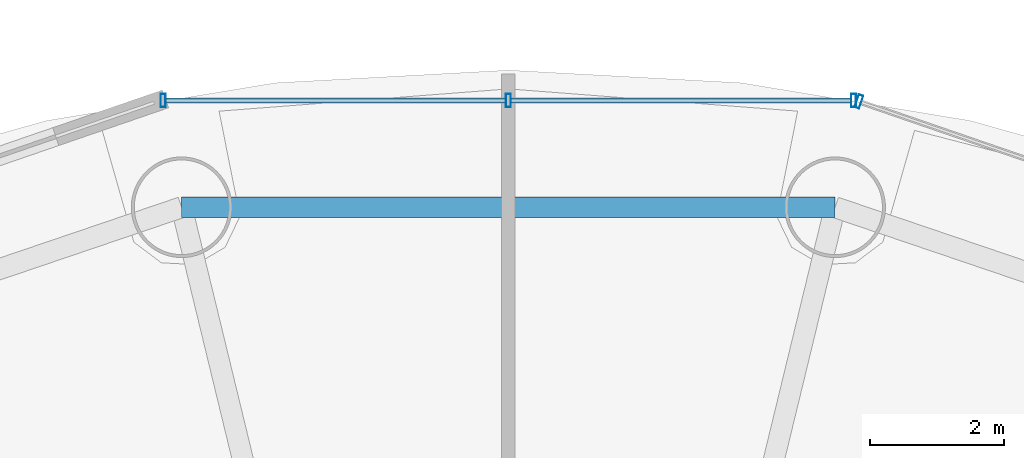
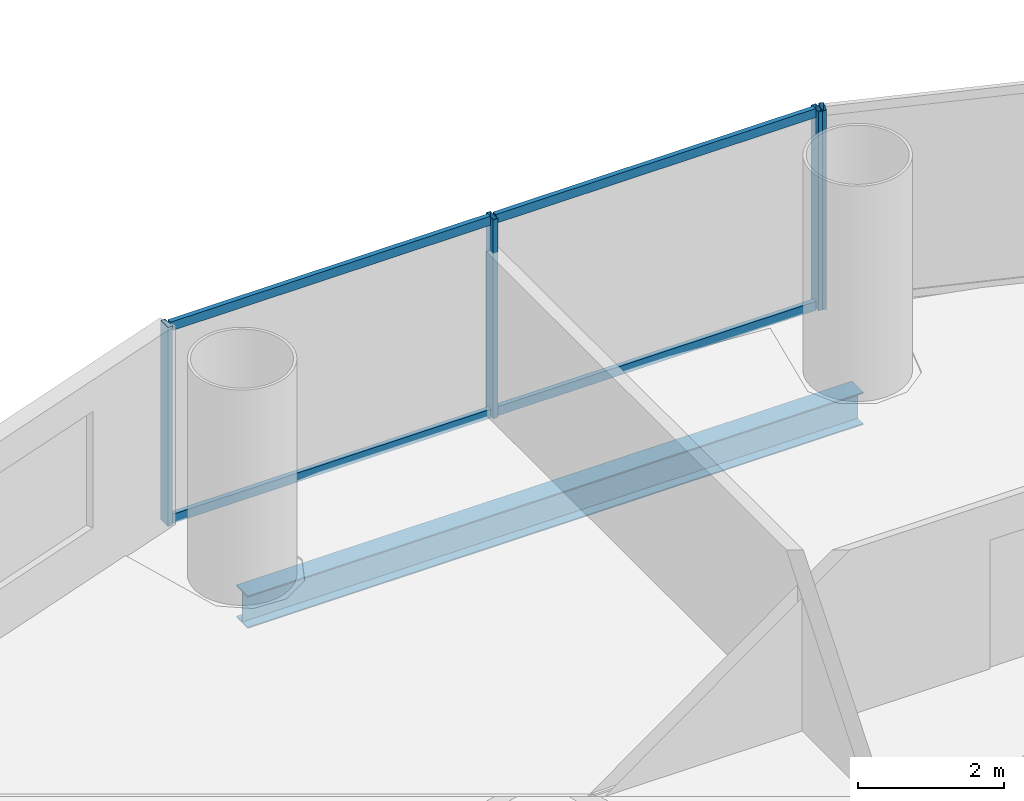
# One storey, part 18 of 29: 8 members, 1 beam, 2 elements without a shape of their own.
"""IFC4 building model written with IfcOpenShell, lengths in metres."""

from ifc_helpers import new_model, si_unit, direction, frame, origin, origin_2d, place, context, subcontext, project, spatial, hollow_rectangle, i_section, extrude, source, transform, mapped, material, material_profile, profile_set, type_object, element, aggregate, save


model = new_model("IFC4")

# Units and contexts
model_context = context("Model", 3, precision=1e-05, world=origin(), true_north=direction((-0.2419218956, 0.970295726276)))
body_context = subcontext(model_context, "Body", "Model", "MODEL_VIEW")
ifc_project = project(units=[si_unit("LENGTHUNIT", "METRE"), si_unit("AREAUNIT", "SQUARE_METRE"), si_unit("VOLUMEUNIT", "CUBIC_METRE"), si_unit("PLANEANGLEUNIT", "RADIAN"), si_unit("MASSUNIT", "GRAM", prefix="KILO")], contexts=[model_context])

# Site, building, storey
site_placement = place(None, origin())
site = spatial("IfcSite", under=ifc_project, at=site_placement, CompositionType="ELEMENT")
building_placement = place(site_placement, origin())
building = spatial("IfcBuilding", under=site, at=building_placement, Name="Cobrevalo Terracotta Tower", CompositionType="ELEMENT")
storey_placement = place(building_placement, frame((0.0, 0.0, 87.0)))
storey = spatial("IfcBuildingStorey", under=building, at=storey_placement, Name="L22", CompositionType="ELEMENT", Elevation=87.0)

# Beam
ifc_material_1 = material(Name="Steel S355", Category="steel")
ifc_material_profile_1 = material_profile(ifc_material_1, i_section(OverallWidth=0.31201171875, OverallDepth=0.54296875, WebThickness=0.0126953125, FlangeThickness=0.020263671875, at=origin_2d()), Name="W 530x150")
ifc_profile_set_1 = profile_set([ifc_material_profile_1], Name="Steel S355")
beam_type = type_object("IfcBeamType", Name="Structural Spandrel W 530x150 (Steel S355)", PredefinedType="SPANDREL", material=ifc_profile_set_1)
beam_placement = place(storey_placement, frame((42.867431640625, 46.857177734375, -0.54638671875), z_axis=(-1.0, 0.0, 0.0), x_axis=(0.0, -1.0, 0.0)))
element("IfcBeam", 1, at=beam_placement, inside=storey, type_object=beam_type, Name="L22 perimeter ring spandrel 04", PredefinedType="SPANDREL", context=body_context, shape_type="SweptSolid", body=[
    extrude(i_section(OverallWidth=0.31201171875, OverallDepth=0.54296875, WebThickness=0.0126953125, FlangeThickness=0.020263671875, at=origin_2d()), origin(), (0.0, 0.0, 1.0), 9.73486328125),
])

# Curtain wall, member
ifc_material_2 = material(Name="Anodized aluminium", Category="aluminium")
curtain_wall_type = type_object("IfcCurtainWallType", Name="Lower-tower unitised acoustic low-E curtain wall CW-U1", PredefinedType="NOTDEFINED", material=ifc_material_2)
curtain_wall_1_placement = place(storey_placement, origin())
curtain_wall_1 = element("IfcCurtainWall", 2, at=curtain_wall_1_placement, inside=storey, type_object=curtain_wall_type, Name="L22 curtain wall CW-L22-S03", PredefinedType="NOTDEFINED")
ifc_material_profile_2 = material_profile(ifc_material_2, hollow_rectangle(XDim=0.074951171875, YDim=0.199951171875, WallThickness=0.0048828125, at=origin_2d()), Name="CWM 75x200")
ifc_profile_set_2 = profile_set([ifc_material_profile_2], Name="Anodized aluminium")
member_type_1 = type_object("IfcMemberType", Name="Lower/mid tower unitised mullion 75x200", PredefinedType="MULLION", material=ifc_profile_set_2)
shared_shape_1 = source(origin(), body_context, "Body", "SweptSolid", [
    extrude(hollow_rectangle(XDim=0.074951171875, YDim=0.199951171875, WallThickness=0.0048828125, at=origin_2d()), origin(), (0.0, 0.0, 1.0), 3.324951171875),
])
member_1_placement = place(storey_placement, frame((43.221435546875, 48.432861328125, 0.0), z_axis=(0.0, 0.0, 1.0), x_axis=(-0.94559809868, 0.325337110968, 0.0)))
member_1 = element("IfcMember", 3, at=member_1_placement, type_object=member_type_1, Name="CW-L22-S03 vertical mullion 03", PredefinedType="MULLION", context=body_context, shape_type="MappedRepresentation", body=[
    mapped(shared_shape_1, transform((0.0, 0.0, 0.0), scale=1.0)),
])
aggregate(curtain_wall_1, [member_1])

# Curtain wall, members
curtain_wall_2_placement = place(storey_placement, origin())
curtain_wall_2 = element("IfcCurtainWall", 4, at=curtain_wall_2_placement, inside=storey, type_object=curtain_wall_type, Name="L22 curtain wall CW-L22-S04", PredefinedType="NOTDEFINED")
member_2_placement = place(storey_placement, frame((43.1435546875, 48.446044921875, 0.0), z_axis=(0.0, 0.0, 1.0), x_axis=(-1.0, 0.0, 0.0)))
member_2 = element("IfcMember", 5, at=member_2_placement, type_object=member_type_1, Name="CW-L22-S04 vertical mullion 01", PredefinedType="MULLION", context=body_context, shape_type="MappedRepresentation", body=[
    mapped(shared_shape_1, transform((0.0, 0.0, 0.0), scale=1.0)),
])
member_3_placement = place(storey_placement, frame((38.0, 48.446044921875, 0.0), z_axis=(0.0, 0.0, 1.0), x_axis=(-1.0, 0.0, 0.0)))
member_3 = element("IfcMember", 6, at=member_3_placement, type_object=member_type_1, Name="CW-L22-S04 vertical mullion 02", PredefinedType="MULLION", context=body_context, shape_type="MappedRepresentation", body=[
    mapped(shared_shape_1, transform((0.0, 0.0, 0.0), scale=1.0)),
])
member_4_placement = place(storey_placement, frame((32.8564453125, 48.446044921875, 0.0), z_axis=(0.0, 0.0, 1.0), x_axis=(-1.0, 0.0, 0.0)))
member_4 = element("IfcMember", 7, at=member_4_placement, type_object=member_type_1, Name="CW-L22-S04 vertical mullion 03", PredefinedType="MULLION", context=body_context, shape_type="MappedRepresentation", body=[
    mapped(shared_shape_1, transform((0.0, 0.0, 0.0), scale=1.0)),
])
ifc_material_profile_3 = material_profile(ifc_material_2, hollow_rectangle(XDim=0.074951171875, YDim=0.14990234375, WallThickness=0.00439453125, at=origin_2d()), Name="CWT 75x150")
ifc_profile_set_3 = profile_set([ifc_material_profile_3], Name="Anodized aluminium")
member_type_2 = type_object("IfcMemberType", Name="Tower unitised aluminium transom 75x150", PredefinedType="USERDEFINED", material=ifc_profile_set_3)
shared_shape_2 = source(origin(), body_context, "Body", "SweptSolid", [
    extrude(hollow_rectangle(XDim=0.074951171875, YDim=0.14990234375, WallThickness=0.00439453125, at=origin_2d()), origin(), (0.0, 0.0, 1.0), 5.0634765625),
])
member_5_placement = place(storey_placement, frame((43.103515625, 48.446044921875, 0.050048828125), z_axis=(-1.0, 0.0, 0.0), x_axis=(0.0, -1.0, 0.0)))
member_5 = element("IfcMember", 8, at=member_5_placement, type_object=member_type_2, Name="CW-L22-S04 transom B01-T1", ObjectType="TRANSOM", PredefinedType="USERDEFINED", context=body_context, shape_type="MappedRepresentation", body=[
    mapped(shared_shape_2, transform((0.0, 0.0, 0.0), scale=1.0)),
])
member_6_placement = place(storey_placement, frame((43.103515625, 48.446044921875, 3.27490234375), z_axis=(-1.0, 0.0, 0.0), x_axis=(0.0, -1.0, 0.0)))
member_6 = element("IfcMember", 9, at=member_6_placement, type_object=member_type_2, Name="CW-L22-S04 transom B01-T2", ObjectType="TRANSOM", PredefinedType="USERDEFINED", context=body_context, shape_type="MappedRepresentation", body=[
    mapped(shared_shape_2, transform((0.0, 0.0, 0.0), scale=1.0)),
])
member_7_placement = place(storey_placement, frame((37.9599609375, 48.446044921875, 0.050048828125), z_axis=(-1.0, 0.0, 0.0), x_axis=(0.0, -1.0, 0.0)))
member_7 = element("IfcMember", 10, at=member_7_placement, type_object=member_type_2, Name="CW-L22-S04 transom B02-T1", ObjectType="TRANSOM", PredefinedType="USERDEFINED", context=body_context, shape_type="MappedRepresentation", body=[
    mapped(shared_shape_2, transform((0.0, 0.0, 0.0), scale=1.0)),
])
member_8_placement = place(storey_placement, frame((37.9599609375, 48.446044921875, 3.27490234375), z_axis=(-1.0, 0.0, 0.0), x_axis=(0.0, -1.0, 0.0)))
member_8 = element("IfcMember", 11, at=member_8_placement, type_object=member_type_2, Name="CW-L22-S04 transom B02-T2", ObjectType="TRANSOM", PredefinedType="USERDEFINED", context=body_context, shape_type="MappedRepresentation", body=[
    mapped(shared_shape_2, transform((0.0, 0.0, 0.0), scale=1.0)),
])
aggregate(curtain_wall_2, [member_2, member_3, member_4, member_5, member_6, member_7, member_8])

save(model, "model.ifc")
